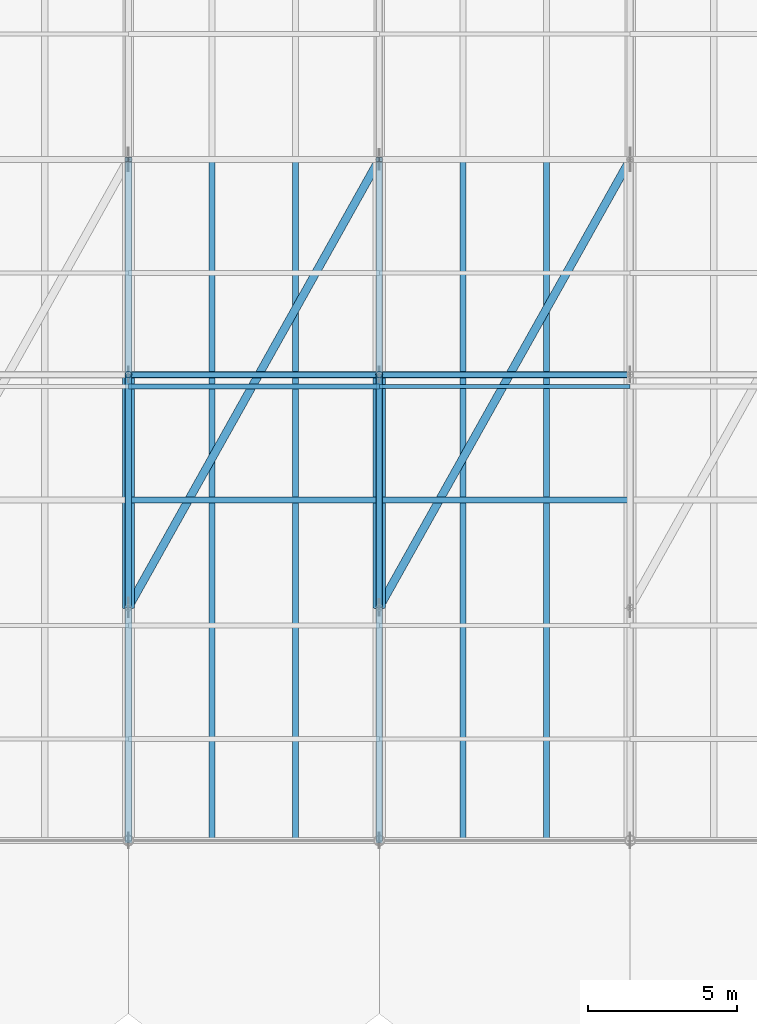
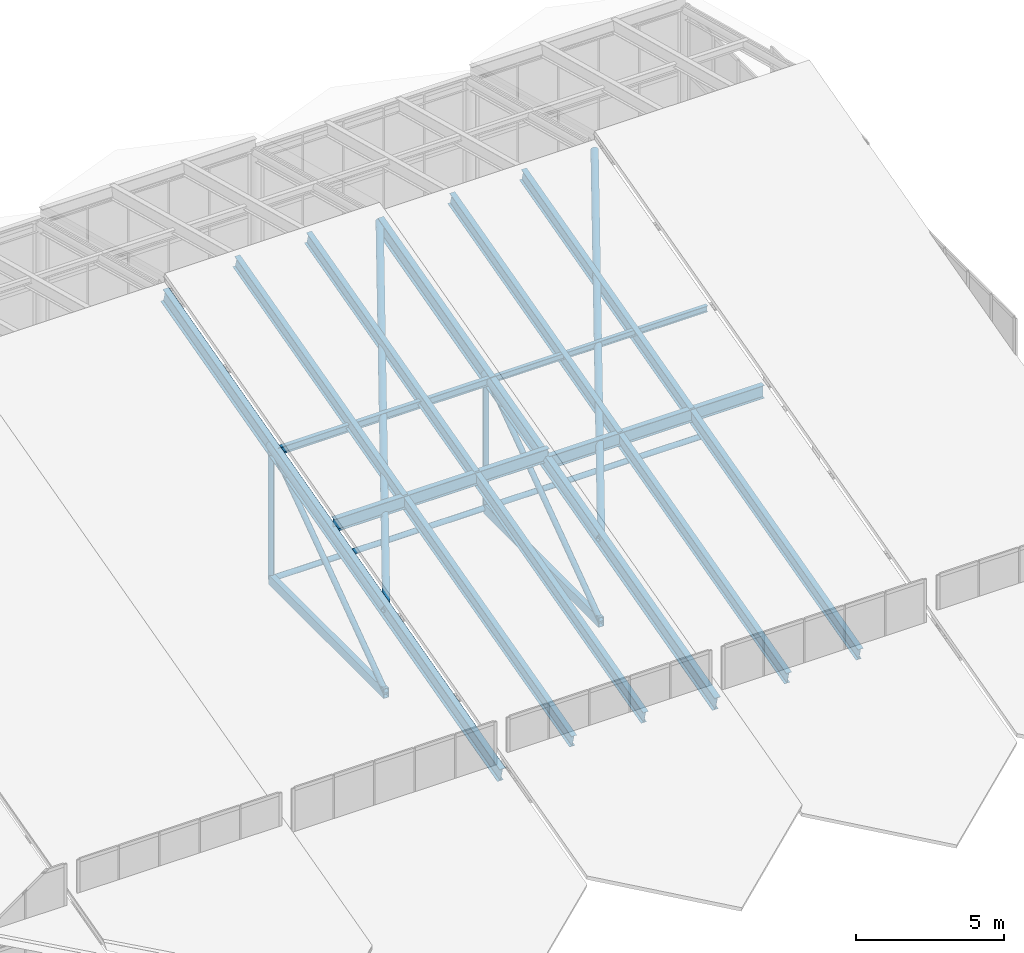
# One storey, part 21 of 43: 14 members, 8 beams.
"""IFC4 building model written with IfcOpenShell, lengths in metres."""

from ifc_helpers import new_model, si_unit, direction, frame, origin, origin_2d, place, context, subcontext, project, spatial, hollow_rectangle, hollow_circle, i_section, extrude, material, material_profile, profile_set, type_object, element, save


model = new_model("IFC4")

# Units and contexts
model_context = context("Model", 3, precision=1e-05, world=origin(), true_north=direction((0.0, 1.0)))
body_context = subcontext(model_context, "Body", "Model", "MODEL_VIEW")
ifc_project = project(units=[si_unit("LENGTHUNIT", "METRE"), si_unit("AREAUNIT", "SQUARE_METRE"), si_unit("VOLUMEUNIT", "CUBIC_METRE"), si_unit("PLANEANGLEUNIT", "RADIAN"), si_unit("MASSUNIT", "GRAM", prefix="KILO")], contexts=[model_context])

# Site, building, storey
site_placement = place(None, origin())
site = spatial("IfcSite", under=ifc_project, at=site_placement, CompositionType="ELEMENT")
building_placement = place(site_placement, origin())
building = spatial("IfcBuilding", under=site, at=building_placement, Name="Selat Folded Stagehouse", CompositionType="ELEMENT")
storey_placement = place(building_placement, frame((0.0, 0.0, 32.39990234375)))
storey = spatial("IfcBuildingStorey", under=building, at=storey_placement, Name="RF", CompositionType="ELEMENT", Elevation=32.39990234375)

# Beams
ifc_material = material(Name="Steel S355", Category="steel")
ifc_material_profile_1 = material_profile(ifc_material, i_section(OverallWidth=0.209228515625, OverallDepth=0.533203125, WebThickness=0.010009765625, FlangeThickness=0.015625, FilletRadius=0.0126953125, at=origin_2d()), Name="UKB 533x210x92")
ifc_profile_set_1 = profile_set([ifc_material_profile_1], Name="Steel S355")
beam_type_1 = type_object("IfcBeamType", Name="BM-GIRD-533x210x92", PredefinedType="BEAM", material=ifc_profile_set_1)
beam_1_placement = place(storey_placement, frame((42.0, 34.800048828125, 4.93212890625), z_axis=(1.0, 0.0, 0.0), x_axis=(0.0, 1.0, 0.0)))
element("IfcBeam", 1, at=beam_1_placement, inside=storey, type_object=beam_type_1, Name="RF bay 5 M roof bearer beam", PredefinedType="BEAM", context=body_context, shape_type="SweptSolid", body=[
    extrude(i_section(OverallWidth=0.209228515625, OverallDepth=0.533203125, WebThickness=0.010009765625, FlangeThickness=0.015625, FilletRadius=0.0126953125, at=origin_2d()), origin(), (0.0, 0.0, 1.0), 8.39990234375),
])
for number, where, z_axis, x_axis, name in (
    (2, (44.800048828125, 23.39990234375, 1.9208984375), (0.0, 0.966839847915, 0.255383453816), (-1.0, 0.0, 0.0), "RF bay 5 W south sub-rafter"),
    (3, (47.60009765625, 23.39990234375, 1.9208984375), (0.0, 0.966839847915, 0.255383453816), (-1.0, 0.0, 0.0), "RF bay 5 E south sub-rafter"),
):
    element("IfcBeam", number, at=place(storey_placement, frame(where, z_axis=z_axis, x_axis=x_axis)), inside=storey, type_object=beam_type_1, Name=name, PredefinedType="BEAM", context=body_context, shape_type="SweptSolid", body=[
        extrude(i_section(OverallWidth=0.209228515625, OverallDepth=0.533203125, WebThickness=0.010009765625, FlangeThickness=0.015625, FilletRadius=0.0126953125, at=origin_2d()), origin(), (0.0, 0.0, 1.0), 23.58203125),
    ])
beam_2_placement = place(storey_placement, frame((50.39990234375, 34.800048828125, 4.59765625), z_axis=(1.0, 0.0, 0.0), x_axis=(0.0, 1.0, 0.0)))
element("IfcBeam", 4, at=beam_2_placement, inside=storey, type_object=beam_type_1, Name="RF bay 6 M roof bearer beam", PredefinedType="BEAM", context=body_context, shape_type="SweptSolid", body=[
    extrude(i_section(OverallWidth=0.209228515625, OverallDepth=0.533203125, WebThickness=0.010009765625, FlangeThickness=0.015625, FilletRadius=0.0126953125, at=origin_2d()), origin(), (0.0, 0.0, 1.0), 8.400146484375),
])
for number, where, z_axis, x_axis, name in (
    (5, (53.199951171875, 23.39990234375, 1.586181640625), (0.0, 0.966837291607, 0.255393131382), (-1.0, 0.0, 0.0), "RF bay 6 W south sub-rafter"),
    (6, (56.0, 23.39990234375, 1.586181640625), (0.0, 0.966837291607, 0.255393131382), (-1.0, 0.0, 0.0), "RF bay 6 E south sub-rafter"),
):
    element("IfcBeam", number, at=place(storey_placement, frame(where, z_axis=z_axis, x_axis=x_axis)), inside=storey, type_object=beam_type_1, Name=name, PredefinedType="BEAM", context=body_context, shape_type="SweptSolid", body=[
        extrude(i_section(OverallWidth=0.209228515625, OverallDepth=0.533203125, WebThickness=0.010009765625, FlangeThickness=0.015625, FilletRadius=0.0126953125, at=origin_2d()), origin(), (0.0, 0.0, 1.0), 23.58203125),
    ])
ifc_material_profile_2 = material_profile(ifc_material, i_section(OverallWidth=0.230224609375, OverallDepth=0.6171875, WebThickness=0.01318359375, FlangeThickness=0.022216796875, FilletRadius=0.0126953125, at=origin_2d()), Name="UKB 610x229x140")
ifc_profile_set_2 = profile_set([ifc_material_profile_2], Name="Steel S355")
beam_type_2 = type_object("IfcBeamType", Name="BM-GIRD-610x229x140", PredefinedType="BEAM", material=ifc_profile_set_2)
for number, where, z_axis, x_axis, name in (
    (7, (42.0, 23.39990234375, 1.506591796875), (0.0, 0.966837291607, 0.255393131382), (-1.0, 0.0, 0.0), "RF primary south rafter beam 5"),
    (8, (50.39990234375, 23.39990234375, 1.506591796875), (0.0, 0.966837291607, 0.255393131382), (-1.0, 0.0, 0.0), "RF primary south rafter beam 6"),
):
    element("IfcBeam", number, at=place(storey_placement, frame(where, z_axis=z_axis, x_axis=x_axis)), inside=storey, type_object=beam_type_2, Name=name, PredefinedType="BEAM", context=body_context, shape_type="SweptSolid", body=[
        extrude(i_section(OverallWidth=0.230224609375, OverallDepth=0.6171875, WebThickness=0.01318359375, FlangeThickness=0.022216796875, FilletRadius=0.0126953125, at=origin_2d()), origin(), (0.0, 0.0, 1.0), 23.58203125),
    ])

# Members
ifc_material_profile_3 = material_profile(ifc_material, hollow_circle(Radius=0.109619140625, WallThickness=0.010009765625, at=origin_2d()), Name="CHS 219.1x10.0")
ifc_profile_set_3 = profile_set([ifc_material_profile_3], Name="Steel S355")
member_type_1 = type_object("IfcMemberType", Name="MEM-BRACE-CHS219", PredefinedType="BRACE", material=ifc_profile_set_3)
for number, where, z_axis, x_axis, name in (
    (9, (42.0, 31.199951171875, 0.150146484375), (0.0, 0.813513193396, 0.581546459168), (-1.0, 0.0, 0.0), "Folded-plate web diagonal 5.2"),
    (10, (50.39990234375, 31.199951171875, 0.150146484375), (0.0, 0.813513193396, 0.581546459168), (-1.0, 0.0, 0.0), "Folded-plate web diagonal 6.2"),
):
    element("IfcMember", number, at=place(storey_placement, frame(where, z_axis=z_axis, x_axis=x_axis)), inside=storey, type_object=member_type_1, Name=name, PredefinedType="BRACE", context=body_context, shape_type="SweptSolid", body=[
        extrude(hollow_circle(Radius=0.109619140625, WallThickness=0.010009765625, at=origin_2d()), origin(), (0.0, 0.0, 1.0), 9.588134765625),
    ])
ifc_material_profile_4 = material_profile(ifc_material, hollow_circle(Radius=0.136474609375, WallThickness=0.012451171875, at=origin_2d()), Name="CHS 273.0x12.5")
ifc_profile_set_4 = profile_set([ifc_material_profile_4], Name="Steel S355")
member_type_2 = type_object("IfcMemberType", Name="MEM-BRACE-CHS273", PredefinedType="BRACE", material=ifc_profile_set_4)
for number, where, z_axis, x_axis, name in (
    (11, (42.0, 31.199951171875, 3.66552734375), (0.47611655648, 0.850218020989, 0.224593725271), (-0.872508437544, 0.488599044631, 0.0), "Roof wind brace bay 5"),
    (12, (50.39990234375, 31.199951171875, 3.66552734375), (0.476127257622, 0.850212419226, 0.224592245508), (-0.872502383543, 0.488609855315, 0.0), "Roof wind brace bay 6"),
):
    element("IfcMember", number, at=place(storey_placement, frame(where, z_axis=z_axis, x_axis=x_axis)), inside=storey, type_object=member_type_2, Name=name, PredefinedType="BRACE", context=body_context, shape_type="SweptSolid", body=[
        extrude(hollow_circle(Radius=0.136474609375, WallThickness=0.012451171875, at=origin_2d()), origin(), (0.0, 0.0, 1.0), 17.642578125),
    ])
ifc_material_profile_5 = material_profile(ifc_material, hollow_circle(Radius=0.203125, WallThickness=0.01611328125, at=origin_2d()), Name="CHS 406.4x16.0")
ifc_profile_set_5 = profile_set([ifc_material_profile_5], Name="Steel S355")
member_type_3 = type_object("IfcMemberType", Name="MEM-CHORD-CHS406", PredefinedType="CHORD", material=ifc_profile_set_5)
for number, where, z_axis, x_axis, name in (
    (13, (42.0, 31.199951171875, 3.66552734375), (0.0, 0.966833028455, 0.255409269779), (-1.0, 0.0, 0.0), "Folded-plate top chord 5.2"),
    (14, (50.39990234375, 31.199951171875, 3.66552734375), (0.0, 0.966833028455, 0.255409269779), (-1.0, 0.0, 0.0), "Folded-plate top chord 6.2"),
):
    element("IfcMember", number, at=place(storey_placement, frame(where, z_axis=z_axis, x_axis=x_axis)), inside=storey, type_object=member_type_3, Name=name, PredefinedType="CHORD", context=body_context, shape_type="SweptSolid", body=[
        extrude(hollow_circle(Radius=0.203125, WallThickness=0.01611328125, at=origin_2d()), origin(), (0.0, 0.0, 1.0), 8.067626953125),
    ])
ifc_material_profile_6 = material_profile(ifc_material, hollow_rectangle(XDim=0.199951171875, YDim=0.39990234375, WallThickness=0.012451171875, at=origin_2d()), Name="RHS 400x200x12.5")
ifc_profile_set_6 = profile_set([ifc_material_profile_6], Name="Steel S355")
member_type_4 = type_object("IfcMemberType", Name="MEM-CHORD-RHS400", PredefinedType="CHORD", material=ifc_profile_set_6)
for number, where, z_axis, x_axis, name in (
    (15, (42.0, 31.199951171875, 0.150146484375), (0.0, 1.0, 0.0), (-1.0, 0.0, 0.0), "Folded-plate bottom tie 5.2"),
    (16, (50.39990234375, 31.199951171875, 0.150146484375), (0.0, 1.0, 0.0), (-1.0, 0.0, 0.0), "Folded-plate bottom tie 6.2"),
):
    element("IfcMember", number, at=place(storey_placement, frame(where, z_axis=z_axis, x_axis=x_axis)), inside=storey, type_object=member_type_4, Name=name, PredefinedType="CHORD", context=body_context, shape_type="SweptSolid", body=[
        extrude(hollow_rectangle(XDim=0.199951171875, YDim=0.39990234375, WallThickness=0.012451171875, at=origin_2d()), origin(), (0.0, 0.0, 1.0), 7.800048828125),
    ])
ifc_material_profile_7 = material_profile(ifc_material, hollow_circle(Radius=0.109619140625, WallThickness=0.010009765625, at=origin_2d()), Name="CHS 219.1x10.0")
ifc_profile_set_7 = profile_set([ifc_material_profile_7], Name="Steel S355")
member_type_5 = type_object("IfcMemberType", Name="MEM-POST-CHS219", PredefinedType="POST", material=ifc_profile_set_7)
for number, where, z_axis, x_axis, name in (
    (17, (42.0, 39.0, 0.150146484375), (0.0, 0.0, 1.0), (1.0, 0.0, 0.0), "Folded-plate truss post 5.2"),
    (18, (50.39990234375, 39.0, 0.150146484375), (0.0, 0.0, 1.0), (1.0, 0.0, 0.0), "Folded-plate truss post 6.2"),
):
    element("IfcMember", number, at=place(storey_placement, frame(where, z_axis=z_axis, x_axis=x_axis)), inside=storey, type_object=member_type_5, Name=name, PredefinedType="POST", context=body_context, shape_type="SweptSolid", body=[
        extrude(hollow_circle(Radius=0.109619140625, WallThickness=0.010009765625, at=origin_2d()), origin(), (0.0, 0.0, 1.0), 5.575927734375),
    ])
ifc_material_profile_8 = material_profile(ifc_material, i_section(OverallWidth=0.14599609375, OverallDepth=0.25146484375, WebThickness=0.006103515625, FlangeThickness=0.008544921875, FilletRadius=0.007568359375, at=origin_2d()), Name="UKB 254x146x31")
ifc_profile_set_8 = profile_set([ifc_material_profile_8], Name="Steel S355")
member_type_6 = type_object("IfcMemberType", Name="MEM-PURLIN-UKB254", PredefinedType="PURLIN", material=ifc_profile_set_8)
member_1_placement = place(storey_placement, frame((50.39990234375, 38.60009765625, 5.70068359375), z_axis=(1.0, 0.0, 0.0), x_axis=(0.0, 1.0, 0.0)))
element("IfcMember", 19, at=member_1_placement, inside=storey, type_object=member_type_6, Name="Folded-plate roof purlin bay 6.3", PredefinedType="PURLIN", context=body_context, shape_type="SweptSolid", body=[
    extrude(i_section(OverallWidth=0.14599609375, OverallDepth=0.25146484375, WebThickness=0.006103515625, FlangeThickness=0.008544921875, FilletRadius=0.007568359375, at=origin_2d()), origin(), (0.0, 0.0, 1.0), 8.400146484375),
])
ifc_material_profile_9 = material_profile(ifc_material, i_section(OverallWidth=0.1650390625, OverallDepth=0.303466796875, WebThickness=0.006103515625, FlangeThickness=0.01025390625, FilletRadius=0.0087890625, at=origin_2d()), Name="UKB 305x165x40")
ifc_profile_set_9 = profile_set([ifc_material_profile_9], Name="Steel S355")
member_type_7 = type_object("IfcMemberType", Name="MEM-PURLIN-UKB305", PredefinedType="PURLIN", material=ifc_profile_set_9)
member_2_placement = place(storey_placement, frame((42.0, 38.60009765625, 5.673583984375), z_axis=(1.0, 0.0, 0.0), x_axis=(0.0, 1.0, 0.0)))
element("IfcMember", 20, at=member_2_placement, inside=storey, type_object=member_type_7, Name="Folded-plate roof purlin bay 5.3", PredefinedType="PURLIN", context=body_context, shape_type="SweptSolid", body=[
    extrude(i_section(OverallWidth=0.1650390625, OverallDepth=0.303466796875, WebThickness=0.006103515625, FlangeThickness=0.01025390625, FilletRadius=0.0087890625, at=origin_2d()), origin(), (0.0, 0.0, 1.0), 8.39990234375),
])
ifc_material_profile_10 = material_profile(ifc_material, hollow_circle(Radius=0.109619140625, WallThickness=0.010009765625, at=origin_2d()), Name="CHS 219.1x10.0")
ifc_profile_set_10 = profile_set([ifc_material_profile_10], Name="Steel S355")
member_type_8 = type_object("IfcMemberType", Name="MEM-STRUT-CHS219", PredefinedType="STRUT", material=ifc_profile_set_10)
member_3_placement = place(storey_placement, frame((42.0, 39.0, 0.150146484375), z_axis=(1.0, 0.0, 0.0), x_axis=(0.0, 1.0, 0.0)))
element("IfcMember", 21, at=member_3_placement, inside=storey, type_object=member_type_8, Name="Roof bottom-tie strut bay 5", PredefinedType="STRUT", context=body_context, shape_type="SweptSolid", body=[
    extrude(hollow_circle(Radius=0.109619140625, WallThickness=0.010009765625, at=origin_2d()), origin(), (0.0, 0.0, 1.0), 8.39990234375),
])
member_4_placement = place(storey_placement, frame((50.39990234375, 39.0, 0.150146484375), z_axis=(1.0, 0.0, 0.0), x_axis=(0.0, 1.0, 0.0)))
element("IfcMember", 22, at=member_4_placement, inside=storey, type_object=member_type_8, Name="Roof bottom-tie strut bay 6", PredefinedType="STRUT", context=body_context, shape_type="SweptSolid", body=[
    extrude(hollow_circle(Radius=0.109619140625, WallThickness=0.010009765625, at=origin_2d()), origin(), (0.0, 0.0, 1.0), 8.400146484375),
])

save(model, "model.ifc")
